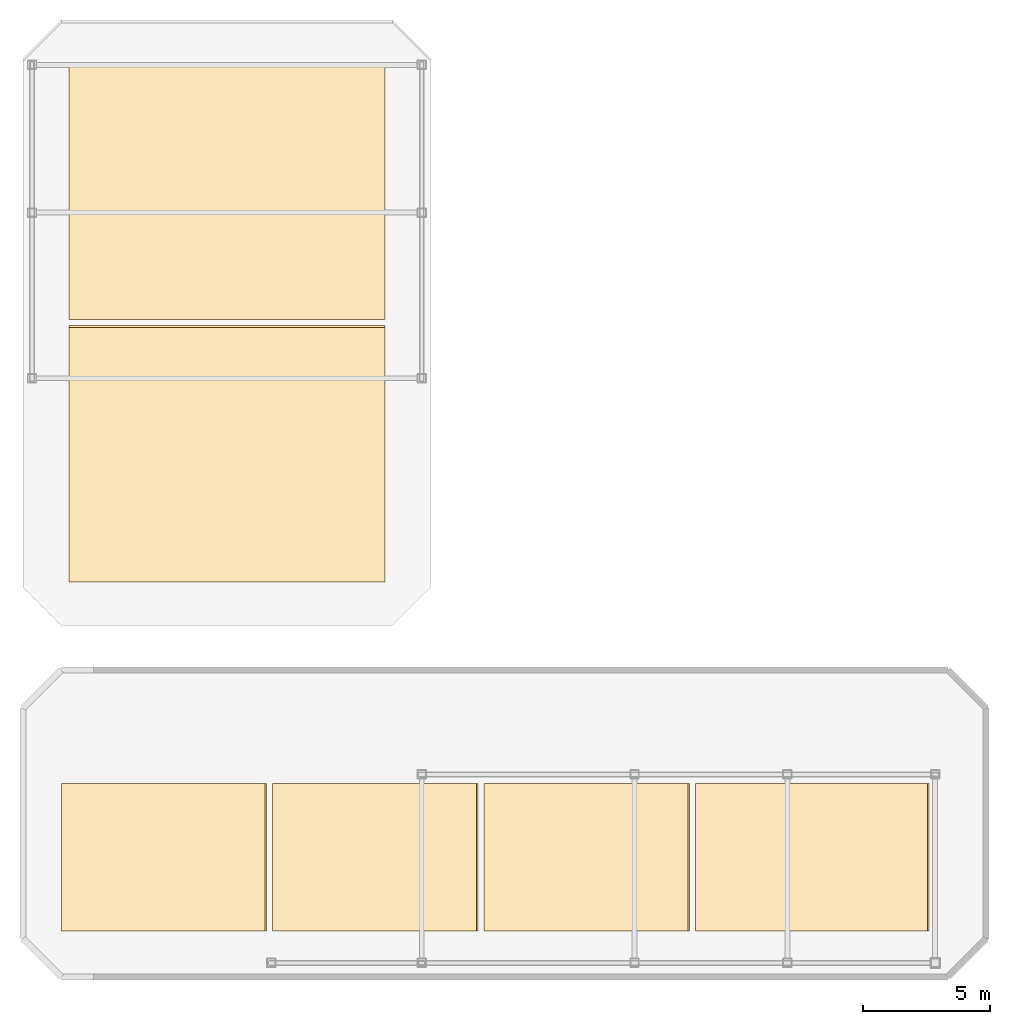
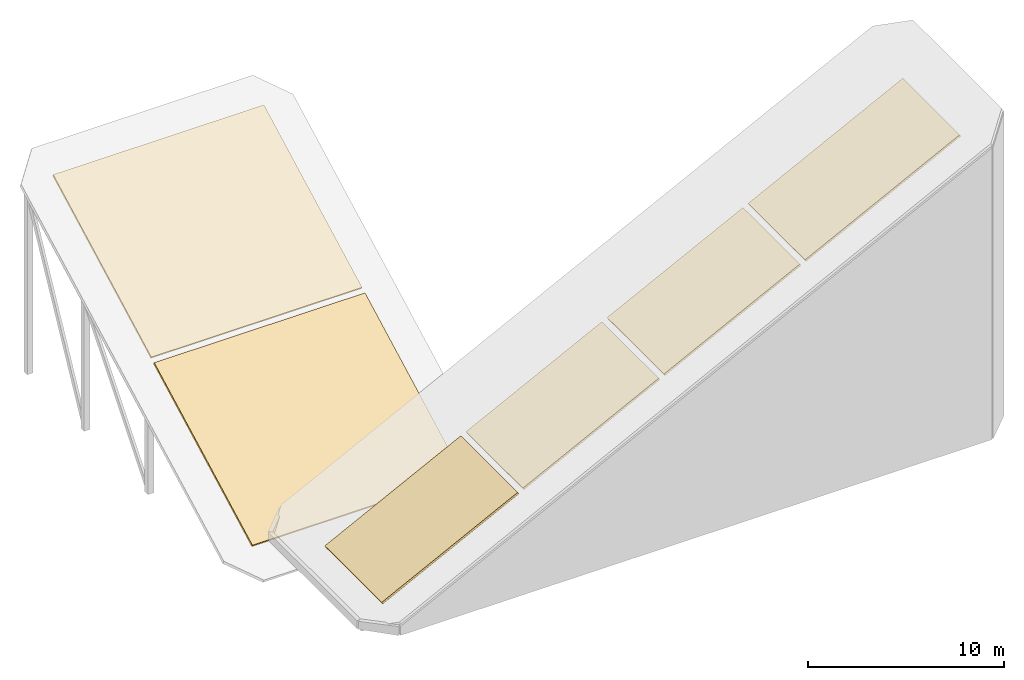
# One storey, part 3 of 3: 6 coverings.
"""IFC4 building model written with IfcOpenShell, lengths in metres."""

from ifc_helpers import new_model, si_unit, direction, frame, origin, place, context, subcontext, project, spatial, polyline, outline, extrude, material, layer, layer_set, type_object, element, save


model = new_model("IFC4")

# Units and contexts
model_context = context("Model", 3, precision=1e-05, world=origin(), true_north=direction((0.0, 1.0)))
body_context = subcontext(model_context, "Body", "Model", "MODEL_VIEW")
ifc_project = project(units=[si_unit("LENGTHUNIT", "METRE"), si_unit("AREAUNIT", "SQUARE_METRE"), si_unit("VOLUMEUNIT", "CUBIC_METRE"), si_unit("PLANEANGLEUNIT", "RADIAN"), si_unit("MASSUNIT", "GRAM", prefix="KILO")], contexts=[model_context])

# Site, building, storey
site_placement = place(None, origin())
site = spatial("IfcSite", under=ifc_project, at=site_placement, CompositionType="ELEMENT")
building_placement = place(site_placement, origin())
building = spatial("IfcBuilding", under=site, at=building_placement, Name="Mawjaban Terraces University", CompositionType="ELEMENT")
storey_placement = place(building_placement, frame((0.0, 0.0, 326.699951171875)))
storey = spatial("IfcBuildingStorey", under=building, at=storey_placement, Name="ROOF", CompositionType="ELEMENT", Elevation=326.699951171875)

# Coverings
ifc_material = material(Name="Insulated elastomeric desert roof membrane", Category="masonry")
ifc_layer = layer(ifc_material, 0.139892578125)
ifc_layer_set = layer_set([ifc_layer], Name="Insulated elastomeric desert roof membrane")
covering_type = type_object("IfcCoveringType", Name="CrownWarmRoofing_140", PredefinedType="ROOFING", material=ifc_layer_set)
for number, where, z_axis, x_axis, name in (
    (1, (23.5, 1.800048828125, 0.89306640625), (-0.450957662234, 0.0, 0.892545341634), (0.892545341634, 0.0, 0.450957662234), "East Peak Insulated Roof Membrane 1"),
    (2, (31.800048828125, 1.800048828125, 5.087158203125), (-0.450957662234, 0.0, 0.892545341634), (0.892545341634, 0.0, 0.450957662234), "East Peak Insulated Roof Membrane 2"),
    (3, (40.10009765625, 1.800048828125, 9.281005859375), (-0.450957662234, 0.0, 0.892545341634), (0.892545341634, 0.0, 0.450957662234), "East Peak Insulated Roof Membrane 3"),
):
    element("IfcCovering", number, at=place(storey_placement, frame(where, z_axis=z_axis, x_axis=x_axis)), inside=storey, type_object=covering_type, Name=name, PredefinedType="ROOFING", context=body_context, shape_type="SweptSolid", body=[
        extrude(outline(polyline([(0.0, 0.0), (8.963130080714608, 0.0), (8.963130080714608, 5.800048828125001), (0.0, 5.800048828125001), (0.0, 0.0)])), origin(), (0.0, 0.0, -1.0), 0.139892578125),
    ])
covering_1_placement = place(storey_placement, frame((48.39990234375, 1.800048828125, 13.47509765625), z_axis=(-0.450964298707, 0.0, 0.892541988531), x_axis=(0.892541988531, 0.0, 0.450964298707)))
element("IfcCovering", 4, at=covering_1_placement, inside=storey, type_object=covering_type, Name="East Peak Insulated Roof Membrane 4", PredefinedType="ROOFING", context=body_context, shape_type="SweptSolid", body=[
    extrude(outline(polyline([(0.0, 0.0), (10.195708183122754, 0.0), (10.195708183122754, 5.800048828125), (0.0, 5.800048828125), (0.0, 0.0)])), origin(), (0.0, 0.0, -1.0), 0.139892578125),
])
covering_2_placement = place(storey_placement, frame((23.800048828125, 15.5, -3.96484375), z_axis=(0.0, -0.467656683512, 0.883910191346), x_axis=(1.0, 0.0, 0.0)))
element("IfcCovering", 5, at=covering_2_placement, inside=storey, type_object=covering_type, Name="North Peak Insulated Roof Membrane 1", PredefinedType="ROOFING", context=body_context, shape_type="SweptSolid", body=[
    extrude(outline(polyline([(0.0, 0.0), (12.39990234375, 0.0), (12.39990234375, 11.313366559069657), (0.0, 11.313366559069657), (0.0, 0.0)])), origin(), (0.0, 0.0, -1.0), 0.139892578125),
])
covering_3_placement = place(storey_placement, frame((23.800048828125, 25.800048828125, 1.485107421875), z_axis=(0.0, -0.467740978472, 0.883865587665), x_axis=(1.0, 0.0, 0.0)))
element("IfcCovering", 6, at=covering_3_placement, inside=storey, type_object=covering_type, Name="North Peak Insulated Roof Membrane 2", PredefinedType="ROOFING", context=body_context, shape_type="SweptSolid", body=[
    extrude(outline(polyline([(0.0, 0.0), (12.39990234375, 0.0), (12.39990234375, 11.313937480495508), (0.0, 11.313937480495508), (0.0, 0.0)])), origin(), (0.0, 0.0, -1.0), 0.139892578125),
])

save(model, "model.ifc")
